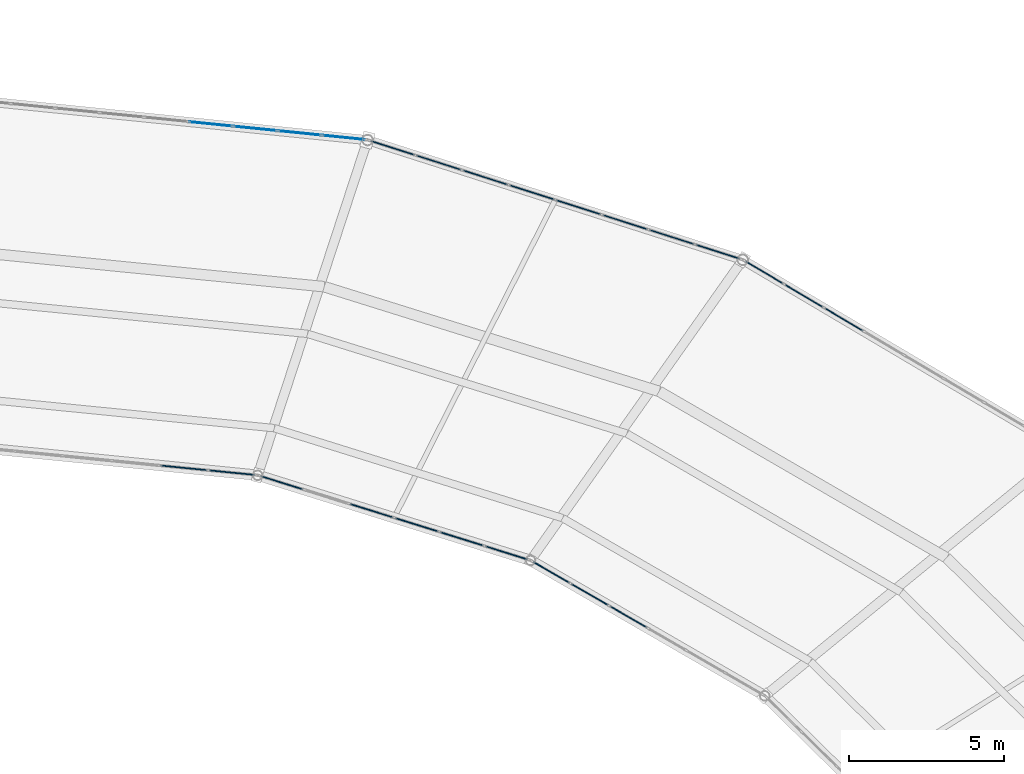
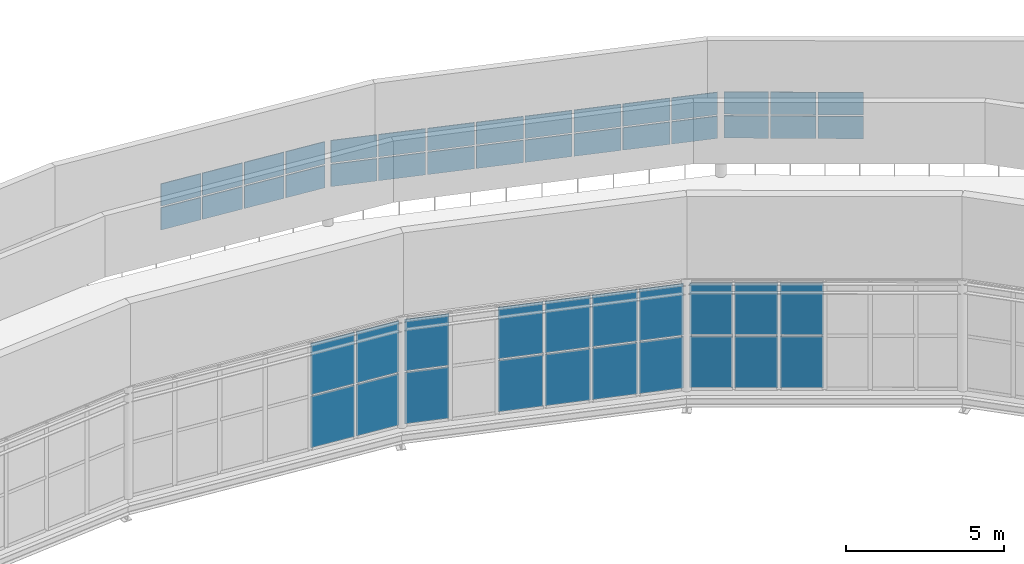
# One storey, part 85 of 123: 50 plates, 6 elements without a shape of their own.
"""IFC4 building model written with IfcOpenShell, lengths in metres."""

from ifc_helpers import new_model, si_unit, direction, frame, origin, origin_2d, place, context, subcontext, project, spatial, rectangle, extrude, material, layer, layer_set, type_object, element, aggregate, save


model = new_model("IFC4")

# Units and contexts
model_context = context("Model", 3, precision=1e-05, world=origin(), true_north=direction((0.0, 1.0)))
body_context = subcontext(model_context, "Body", "Model", "MODEL_VIEW")
ifc_project = project(units=[si_unit("LENGTHUNIT", "METRE"), si_unit("AREAUNIT", "SQUARE_METRE"), si_unit("VOLUMEUNIT", "CUBIC_METRE"), si_unit("PLANEANGLEUNIT", "RADIAN"), si_unit("MASSUNIT", "GRAM", prefix="KILO")], contexts=[model_context])

# Site, building, storey
site_placement = place(None, origin())
site = spatial("IfcSite", under=ifc_project, at=site_placement, CompositionType="ELEMENT")
building_placement = place(site_placement, origin())
building = spatial("IfcBuilding", under=site, at=building_placement, Name="Kildeholm Park Wholesale Market", CompositionType="ELEMENT")
storey_placement = place(building_placement, frame((0.0, 0.0, 9.60009765625)))
storey = spatial("IfcBuildingStorey", under=building, at=storey_placement, Name="L02", CompositionType="ELEMENT", Elevation=9.60009765625)

# Curtain wall, plates
ifc_material_1 = material(Name="Anodised aluminium and low-E double-glazed glass", Category="aluminium")
curtain_wall_type = type_object("IfcCurtainWallType", Name="Clerestory daylight stick curtain wall CW-02", PredefinedType="NOTDEFINED", material=ifc_material_1)
curtain_wall_1_placement = place(storey_placement, origin())
curtain_wall_1 = element("IfcCurtainWall", 1, at=curtain_wall_1_placement, inside=storey, type_object=curtain_wall_type, Name="Curtain wall CW-V1-IN2-03 CW-0020", PredefinedType="NOTDEFINED")
ifc_material_2 = material(Name="Triple-glazed solar-control glass", Category="glass")
ifc_layer_1 = layer(ifc_material_2, 0.035888671875)
ifc_layer_set_1 = layer_set([ifc_layer_1], Name="Triple-glazed solar-control glass")
plate_type_1 = type_object("IfcPlateType", Name="Curtain-wall panel CWP-2 36 mm", PredefinedType="CURTAIN_PANEL", material=ifc_layer_set_1)
plate_1_placement = place(storey_placement, frame((120.408935546875, 111.494873046875, 0.06005859375), z_axis=(0.0, 0.0, 1.0), x_axis=(-0.865742656621, 0.500489412982, 0.0)))
plate_1 = element("IfcPlate", 2, at=plate_1_placement, type_object=plate_type_1, Name="CW-02 panel 4.1 PLT-0418", PredefinedType="CURTAIN_PANEL", context=body_context, shape_type="SweptSolid", body=[
    extrude(rectangle(XDim=1.3818359375, YDim=0.035888671875, at=origin_2d()), origin(), (0.0, 0.0, 1.0), 1.985107421875),
])
plate_2_placement = place(storey_placement, frame((120.408935546875, 111.494873046875, 2.10498046875), z_axis=(0.0, 0.0, 1.0), x_axis=(-0.865742656621, 0.500489412982, 0.0)))
plate_2 = element("IfcPlate", 3, at=plate_2_placement, type_object=plate_type_1, Name="CW-02 panel 4.2 PLT-0419", PredefinedType="CURTAIN_PANEL", context=body_context, shape_type="SweptSolid", body=[
    extrude(rectangle(XDim=1.3818359375, YDim=0.035888671875, at=origin_2d()), origin(), (0.0, 0.0, 1.0), 1.985107421875),
])
plate_3_placement = place(storey_placement, frame((119.160400390625, 112.216552734375, 0.06005859375), z_axis=(0.0, 0.0, 1.0), x_axis=(-0.865742656621, 0.500489412982, 0.0)))
plate_3 = element("IfcPlate", 4, at=plate_3_placement, type_object=plate_type_1, Name="CW-02 panel 5.1 PLT-0420", PredefinedType="CURTAIN_PANEL", context=body_context, shape_type="SweptSolid", body=[
    extrude(rectangle(XDim=1.3818359375, YDim=0.035888671875, at=origin_2d()), origin(), (0.0, 0.0, 1.0), 1.985107421875),
])
plate_4_placement = place(storey_placement, frame((119.160400390625, 112.216552734375, 2.10498046875), z_axis=(0.0, 0.0, 1.0), x_axis=(-0.865742656621, 0.500489412982, 0.0)))
plate_4 = element("IfcPlate", 5, at=plate_4_placement, type_object=plate_type_1, Name="CW-02 panel 5.2 PLT-0421", PredefinedType="CURTAIN_PANEL", context=body_context, shape_type="SweptSolid", body=[
    extrude(rectangle(XDim=1.3818359375, YDim=0.035888671875, at=origin_2d()), origin(), (0.0, 0.0, 1.0), 1.985107421875),
])
plate_5_placement = place(storey_placement, frame((117.925048828125, 112.9306640625, 0.06005859375), z_axis=(0.0, 0.0, 1.0), x_axis=(-0.865742656621, 0.500489412982, 0.0)))
plate_5 = element("IfcPlate", 6, at=plate_5_placement, type_object=plate_type_1, Name="CW-02 panel 6.1 PLT-0422", PredefinedType="CURTAIN_PANEL", context=body_context, shape_type="SweptSolid", body=[
    extrude(rectangle(XDim=1.351806640625, YDim=0.035888671875, at=origin_2d()), origin(), (0.0, 0.0, 1.0), 1.985107421875),
])
plate_6_placement = place(storey_placement, frame((117.925048828125, 112.9306640625, 2.10498046875), z_axis=(0.0, 0.0, 1.0), x_axis=(-0.865742656621, 0.500489412982, 0.0)))
plate_6 = element("IfcPlate", 7, at=plate_6_placement, type_object=plate_type_1, Name="CW-02 panel 6.2 PLT-0423", PredefinedType="CURTAIN_PANEL", context=body_context, shape_type="SweptSolid", body=[
    extrude(rectangle(XDim=1.351806640625, YDim=0.035888671875, at=origin_2d()), origin(), (0.0, 0.0, 1.0), 1.985107421875),
])
aggregate(curtain_wall_1, [plate_1, plate_2, plate_3, plate_4, plate_5, plate_6])

curtain_wall_2_placement = place(storey_placement, origin())
curtain_wall_2 = element("IfcCurtainWall", 8, at=curtain_wall_2_placement, inside=storey, type_object=curtain_wall_type, Name="Curtain wall CW-V1-IN2-04 CW-0025", PredefinedType="NOTDEFINED")
plate_7_placement = place(storey_placement, frame((116.472412109375, 113.5625, 0.06005859375), z_axis=(0.0, 0.0, 1.0), x_axis=(-0.954579186683, 0.297957339818, 0.0)))
plate_7 = element("IfcPlate", 9, at=plate_7_placement, type_object=plate_type_1, Name="CW-02 panel 1.1 PLT-0484", PredefinedType="CURTAIN_PANEL", context=body_context, shape_type="SweptSolid", body=[
    extrude(rectangle(XDim=1.43359375, YDim=0.035888671875, at=origin_2d()), origin(), (0.0, 0.0, 1.0), 1.985107421875),
])
plate_8_placement = place(storey_placement, frame((116.472412109375, 113.5625, 2.10498046875), z_axis=(0.0, 0.0, 1.0), x_axis=(-0.954579186683, 0.297957339818, 0.0)))
plate_8 = element("IfcPlate", 10, at=plate_8_placement, type_object=plate_type_1, Name="CW-02 panel 1.2 PLT-0485", PredefinedType="CURTAIN_PANEL", context=body_context, shape_type="SweptSolid", body=[
    extrude(rectangle(XDim=1.43359375, YDim=0.035888671875, at=origin_2d()), origin(), (0.0, 0.0, 1.0), 1.985107421875),
])
plate_9_placement = place(storey_placement, frame((115.0322265625, 114.011962890625, 0.06005859375), z_axis=(0.0, 0.0, 1.0), x_axis=(-0.954579186683, 0.297957339818, 0.0)))
plate_9 = element("IfcPlate", 11, at=plate_9_placement, type_object=plate_type_1, Name="CW-02 panel 2.1 PLT-0486", PredefinedType="CURTAIN_PANEL", context=body_context, shape_type="SweptSolid", body=[
    extrude(rectangle(XDim=1.463623046875, YDim=0.035888671875, at=origin_2d()), origin(), (0.0, 0.0, 1.0), 1.985107421875),
])
plate_10_placement = place(storey_placement, frame((115.0322265625, 114.011962890625, 2.10498046875), z_axis=(0.0, 0.0, 1.0), x_axis=(-0.954579186683, 0.297957339818, 0.0)))
plate_10 = element("IfcPlate", 12, at=plate_10_placement, type_object=plate_type_1, Name="CW-02 panel 2.2 PLT-0487", PredefinedType="CURTAIN_PANEL", context=body_context, shape_type="SweptSolid", body=[
    extrude(rectangle(XDim=1.463623046875, YDim=0.035888671875, at=origin_2d()), origin(), (0.0, 0.0, 1.0), 1.985107421875),
])
plate_11_placement = place(storey_placement, frame((113.57763671875, 114.466064453125, 0.06005859375), z_axis=(0.0, 0.0, 1.0), x_axis=(-0.954579186683, 0.297957339818, 0.0)))
plate_11 = element("IfcPlate", 13, at=plate_11_placement, type_object=plate_type_1, Name="CW-02 panel 3.1 PLT-0488", PredefinedType="CURTAIN_PANEL", context=body_context, shape_type="SweptSolid", body=[
    extrude(rectangle(XDim=1.463623046875, YDim=0.035888671875, at=origin_2d()), origin(), (0.0, 0.0, 1.0), 1.985107421875),
])
plate_12_placement = place(storey_placement, frame((113.57763671875, 114.466064453125, 2.10498046875), z_axis=(0.0, 0.0, 1.0), x_axis=(-0.954579186683, 0.297957339818, 0.0)))
plate_12 = element("IfcPlate", 14, at=plate_12_placement, type_object=plate_type_1, Name="CW-02 panel 3.2 PLT-0489", PredefinedType="CURTAIN_PANEL", context=body_context, shape_type="SweptSolid", body=[
    extrude(rectangle(XDim=1.463623046875, YDim=0.035888671875, at=origin_2d()), origin(), (0.0, 0.0, 1.0), 1.985107421875),
])
plate_13_placement = place(storey_placement, frame((112.123291015625, 114.919921875, 0.06005859375), z_axis=(0.0, 0.0, 1.0), x_axis=(-0.954579186683, 0.297957339818, 0.0)))
plate_13 = element("IfcPlate", 15, at=plate_13_placement, type_object=plate_type_1, Name="CW-02 panel 4.1 PLT-0490", PredefinedType="CURTAIN_PANEL", context=body_context, shape_type="SweptSolid", body=[
    extrude(rectangle(XDim=1.463623046875, YDim=0.035888671875, at=origin_2d()), origin(), (0.0, 0.0, 1.0), 1.985107421875),
])
plate_14_placement = place(storey_placement, frame((112.123291015625, 114.919921875, 2.10498046875), z_axis=(0.0, 0.0, 1.0), x_axis=(-0.954579186683, 0.297957339818, 0.0)))
plate_14 = element("IfcPlate", 16, at=plate_14_placement, type_object=plate_type_1, Name="CW-02 panel 4.2 PLT-0491", PredefinedType="CURTAIN_PANEL", context=body_context, shape_type="SweptSolid", body=[
    extrude(rectangle(XDim=1.463623046875, YDim=0.035888671875, at=origin_2d()), origin(), (0.0, 0.0, 1.0), 1.985107421875),
])
plate_15_placement = place(storey_placement, frame((109.228515625, 115.823486328125, 0.06005859375), z_axis=(0.0, 0.0, 1.0), x_axis=(-0.954579186683, 0.297957339818, 0.0)))
plate_15 = element("IfcPlate", 17, at=plate_15_placement, type_object=plate_type_1, Name="CW-02 panel 6.1 PLT-0494", PredefinedType="CURTAIN_PANEL", context=body_context, shape_type="SweptSolid", body=[
    extrude(rectangle(XDim=1.43359375, YDim=0.035888671875, at=origin_2d()), origin(), (0.0, 0.0, 1.0), 1.985107421875),
])
plate_16_placement = place(storey_placement, frame((109.228515625, 115.823486328125, 2.10498046875), z_axis=(0.0, 0.0, 1.0), x_axis=(-0.954579186683, 0.297957339818, 0.0)))
plate_16 = element("IfcPlate", 18, at=plate_16_placement, type_object=plate_type_1, Name="CW-02 panel 6.2 PLT-0495", PredefinedType="CURTAIN_PANEL", context=body_context, shape_type="SweptSolid", body=[
    extrude(rectangle(XDim=1.43359375, YDim=0.035888671875, at=origin_2d()), origin(), (0.0, 0.0, 1.0), 1.985107421875),
])
aggregate(curtain_wall_2, [plate_7, plate_8, plate_9, plate_10, plate_11, plate_12, plate_13, plate_14, plate_15, plate_16])

curtain_wall_3_placement = place(storey_placement, origin())
curtain_wall_3 = element("IfcCurtainWall", 19, at=curtain_wall_3_placement, inside=storey, type_object=curtain_wall_type, Name="Curtain wall CW-V1-IN2-05 CW-0029", PredefinedType="NOTDEFINED")
plate_17_placement = place(storey_placement, frame((107.6123046875, 116.14990234375, 0.06005859375), z_axis=(0.0, 0.0, 1.0), x_axis=(-0.995118887444, 0.098683331174, 0.0)))
plate_17 = element("IfcPlate", 20, at=plate_17_placement, type_object=plate_type_1, Name="CW-02 panel 1.1 PLT-0546", PredefinedType="CURTAIN_PANEL", context=body_context, shape_type="SweptSolid", body=[
    extrude(rectangle(XDim=1.47900390625, YDim=0.035888671875, at=origin_2d()), origin(), (0.0, 0.0, 1.0), 1.985107421875),
])
plate_18_placement = place(storey_placement, frame((107.6123046875, 116.14990234375, 2.10498046875), z_axis=(0.0, 0.0, 1.0), x_axis=(-0.995118887444, 0.098683331174, 0.0)))
plate_18 = element("IfcPlate", 21, at=plate_18_placement, type_object=plate_type_1, Name="CW-02 panel 1.2 PLT-0547", PredefinedType="CURTAIN_PANEL", context=body_context, shape_type="SweptSolid", body=[
    extrude(rectangle(XDim=1.47900390625, YDim=0.035888671875, at=origin_2d()), origin(), (0.0, 0.0, 1.0), 1.985107421875),
])
plate_19_placement = place(storey_placement, frame((106.06591796875, 116.30322265625, 0.06005859375), z_axis=(0.0, 0.0, 1.0), x_axis=(-0.995118887444, 0.098683331174, 0.0)))
plate_19 = element("IfcPlate", 22, at=plate_19_placement, type_object=plate_type_1, Name="CW-02 panel 2.1 PLT-0548", PredefinedType="CURTAIN_PANEL", context=body_context, shape_type="SweptSolid", body=[
    extrude(rectangle(XDim=1.509033203125, YDim=0.035888671875, at=origin_2d()), origin(), (0.0, 0.0, 1.0), 1.985107421875),
])
plate_20_placement = place(storey_placement, frame((106.06591796875, 116.30322265625, 2.10498046875), z_axis=(0.0, 0.0, 1.0), x_axis=(-0.995118887444, 0.098683331174, 0.0)))
plate_20 = element("IfcPlate", 23, at=plate_20_placement, type_object=plate_type_1, Name="CW-02 panel 2.2 PLT-0549", PredefinedType="CURTAIN_PANEL", context=body_context, shape_type="SweptSolid", body=[
    extrude(rectangle(XDim=1.509033203125, YDim=0.035888671875, at=origin_2d()), origin(), (0.0, 0.0, 1.0), 1.985107421875),
])
aggregate(curtain_wall_3, [plate_17, plate_18, plate_19, plate_20])

curtain_wall_4_placement = place(storey_placement, origin())
curtain_wall_4 = element("IfcCurtainWall", 24, at=curtain_wall_4_placement, inside=storey, type_object=curtain_wall_type, Name="Curtain wall CW-V1-CL-03 CW-0017", PredefinedType="NOTDEFINED")
ifc_material_3 = material(Name="Fritted solar-control clerestory glass", Category="glass")
ifc_layer_2 = layer(ifc_material_3, 0.031982421875)
ifc_layer_set_2 = layer_set([ifc_layer_2], Name="Fritted solar-control clerestory glass")
plate_type_2 = type_object("IfcPlateType", Name="Curtain-wall panel CWP-4 32 mm", PredefinedType="CURTAIN_PANEL", material=ifc_layer_set_2)
plate_21_placement = place(storey_placement, frame((127.365478515625, 121.0888671875, 1.40966796875), z_axis=(0.0, 0.0, 1.0), x_axis=(-0.860704129033, 0.509105492275, 0.0)))
plate_21 = element("IfcPlate", 25, at=plate_21_placement, type_object=plate_type_2, Name="CW-02 panel 6.1 PLT-0382", PredefinedType="CURTAIN_PANEL", context=body_context, shape_type="SweptSolid", body=[
    extrude(rectangle(XDim=1.43994140625, YDim=0.031982421875, at=origin_2d()), origin(), (0.0, 0.0, 1.0), 0.860107421875),
])
plate_22_placement = place(storey_placement, frame((127.365478515625, 121.0888671875, 2.330078125), z_axis=(0.0, 0.0, 1.0), x_axis=(-0.860704129033, 0.509105492275, 0.0)))
plate_22 = element("IfcPlate", 26, at=plate_22_placement, type_object=plate_type_2, Name="CW-02 panel 6.2 PLT-0383", PredefinedType="CURTAIN_PANEL", context=body_context, shape_type="SweptSolid", body=[
    extrude(rectangle(XDim=1.43994140625, YDim=0.031982421875, at=origin_2d()), origin(), (0.0, 0.0, 1.0), 0.860107421875),
])
plate_23_placement = place(storey_placement, frame((126.074462890625, 121.8525390625, 1.40966796875), z_axis=(0.0, 0.0, 1.0), x_axis=(-0.860704129033, 0.509105492275, 0.0)))
plate_23 = element("IfcPlate", 27, at=plate_23_placement, type_object=plate_type_2, Name="CW-02 panel 7.1 PLT-0384", PredefinedType="CURTAIN_PANEL", context=body_context, shape_type="SweptSolid", body=[
    extrude(rectangle(XDim=1.43994140625, YDim=0.031982421875, at=origin_2d()), origin(), (0.0, 0.0, 1.0), 0.860107421875),
])
plate_24_placement = place(storey_placement, frame((126.074462890625, 121.8525390625, 2.330078125), z_axis=(0.0, 0.0, 1.0), x_axis=(-0.860704129033, 0.509105492275, 0.0)))
plate_24 = element("IfcPlate", 28, at=plate_24_placement, type_object=plate_type_2, Name="CW-02 panel 7.2 PLT-0385", PredefinedType="CURTAIN_PANEL", context=body_context, shape_type="SweptSolid", body=[
    extrude(rectangle(XDim=1.43994140625, YDim=0.031982421875, at=origin_2d()), origin(), (0.0, 0.0, 1.0), 0.860107421875),
])
plate_25_placement = place(storey_placement, frame((124.79638671875, 122.608642578125, 1.40966796875), z_axis=(0.0, 0.0, 1.0), x_axis=(-0.860704129033, 0.509105492275, 0.0)))
plate_25 = element("IfcPlate", 29, at=plate_25_placement, type_object=plate_type_2, Name="CW-02 panel 8.1 PLT-0386", PredefinedType="CURTAIN_PANEL", context=body_context, shape_type="SweptSolid", body=[
    extrude(rectangle(XDim=1.409912109375, YDim=0.031982421875, at=origin_2d()), origin(), (0.0, 0.0, 1.0), 0.860107421875),
])
plate_26_placement = place(storey_placement, frame((124.79638671875, 122.608642578125, 2.330078125), z_axis=(0.0, 0.0, 1.0), x_axis=(-0.860704129033, 0.509105492275, 0.0)))
plate_26 = element("IfcPlate", 30, at=plate_26_placement, type_object=plate_type_2, Name="CW-02 panel 8.2 PLT-0387", PredefinedType="CURTAIN_PANEL", context=body_context, shape_type="SweptSolid", body=[
    extrude(rectangle(XDim=1.409912109375, YDim=0.031982421875, at=origin_2d()), origin(), (0.0, 0.0, 1.0), 0.860107421875),
])
aggregate(curtain_wall_4, [plate_21, plate_22, plate_23, plate_24, plate_25, plate_26])

curtain_wall_5_placement = place(storey_placement, origin())
curtain_wall_5 = element("IfcCurtainWall", 31, at=curtain_wall_5_placement, inside=storey, type_object=curtain_wall_type, Name="Curtain wall CW-V1-CL-04 CW-0022", PredefinedType="NOTDEFINED")
plate_27_placement = place(storey_placement, frame((123.2978515625, 123.275634765625, 1.40966796875), z_axis=(0.0, 0.0, 1.0), x_axis=(-0.952606009241, 0.304206822997, 0.0)))
plate_27 = element("IfcPlate", 32, at=plate_27_placement, type_object=plate_type_2, Name="CW-02 panel 1.1 PLT-0444", PredefinedType="CURTAIN_PANEL", context=body_context, shape_type="SweptSolid", body=[
    extrude(rectangle(XDim=1.48876953125, YDim=0.031982421875, at=origin_2d()), origin(), (0.0, 0.0, 1.0), 0.860107421875),
])
plate_28_placement = place(storey_placement, frame((123.2978515625, 123.275634765625, 2.330078125), z_axis=(0.0, 0.0, 1.0), x_axis=(-0.952606009241, 0.304206822997, 0.0)))
plate_28 = element("IfcPlate", 33, at=plate_28_placement, type_object=plate_type_2, Name="CW-02 panel 1.2 PLT-0445", PredefinedType="CURTAIN_PANEL", context=body_context, shape_type="SweptSolid", body=[
    extrude(rectangle(XDim=1.48876953125, YDim=0.031982421875, at=origin_2d()), origin(), (0.0, 0.0, 1.0), 0.860107421875),
])
plate_29_placement = place(storey_placement, frame((121.80810546875, 123.75146484375, 1.40966796875), z_axis=(0.0, 0.0, 1.0), x_axis=(-0.952606009241, 0.304206822997, 0.0)))
plate_29 = element("IfcPlate", 34, at=plate_29_placement, type_object=plate_type_2, Name="CW-02 panel 2.1 PLT-0446", PredefinedType="CURTAIN_PANEL", context=body_context, shape_type="SweptSolid", body=[
    extrude(rectangle(XDim=1.518798828125, YDim=0.031982421875, at=origin_2d()), origin(), (0.0, 0.0, 1.0), 0.860107421875),
])
plate_30_placement = place(storey_placement, frame((121.80810546875, 123.75146484375, 2.330078125), z_axis=(0.0, 0.0, 1.0), x_axis=(-0.952606009241, 0.304206822997, 0.0)))
plate_30 = element("IfcPlate", 35, at=plate_30_placement, type_object=plate_type_2, Name="CW-02 panel 2.2 PLT-0447", PredefinedType="CURTAIN_PANEL", context=body_context, shape_type="SweptSolid", body=[
    extrude(rectangle(XDim=1.518798828125, YDim=0.031982421875, at=origin_2d()), origin(), (0.0, 0.0, 1.0), 0.860107421875),
])
plate_31_placement = place(storey_placement, frame((120.30419921875, 124.231689453125, 1.40966796875), z_axis=(0.0, 0.0, 1.0), x_axis=(-0.952606009241, 0.304206822997, 0.0)))
plate_31 = element("IfcPlate", 36, at=plate_31_placement, type_object=plate_type_2, Name="CW-02 panel 3.1 PLT-0448", PredefinedType="CURTAIN_PANEL", context=body_context, shape_type="SweptSolid", body=[
    extrude(rectangle(XDim=1.518798828125, YDim=0.031982421875, at=origin_2d()), origin(), (0.0, 0.0, 1.0), 0.860107421875),
])
plate_32_placement = place(storey_placement, frame((120.30419921875, 124.231689453125, 2.330078125), z_axis=(0.0, 0.0, 1.0), x_axis=(-0.952606009241, 0.304206822997, 0.0)))
plate_32 = element("IfcPlate", 37, at=plate_32_placement, type_object=plate_type_2, Name="CW-02 panel 3.2 PLT-0449", PredefinedType="CURTAIN_PANEL", context=body_context, shape_type="SweptSolid", body=[
    extrude(rectangle(XDim=1.518798828125, YDim=0.031982421875, at=origin_2d()), origin(), (0.0, 0.0, 1.0), 0.860107421875),
])
plate_33_placement = place(storey_placement, frame((118.800537109375, 124.7119140625, 1.40966796875), z_axis=(0.0, 0.0, 1.0), x_axis=(-0.952606009241, 0.304206822997, 0.0)))
plate_33 = element("IfcPlate", 38, at=plate_33_placement, type_object=plate_type_2, Name="CW-02 panel 4.1 PLT-0450", PredefinedType="CURTAIN_PANEL", context=body_context, shape_type="SweptSolid", body=[
    extrude(rectangle(XDim=1.518798828125, YDim=0.031982421875, at=origin_2d()), origin(), (0.0, 0.0, 1.0), 0.860107421875),
])
plate_34_placement = place(storey_placement, frame((118.800537109375, 124.7119140625, 2.330078125), z_axis=(0.0, 0.0, 1.0), x_axis=(-0.952606009241, 0.304206822997, 0.0)))
plate_34 = element("IfcPlate", 39, at=plate_34_placement, type_object=plate_type_2, Name="CW-02 panel 4.2 PLT-0451", PredefinedType="CURTAIN_PANEL", context=body_context, shape_type="SweptSolid", body=[
    extrude(rectangle(XDim=1.518798828125, YDim=0.031982421875, at=origin_2d()), origin(), (0.0, 0.0, 1.0), 0.860107421875),
])
plate_35_placement = place(storey_placement, frame((117.296630859375, 125.192138671875, 1.40966796875), z_axis=(0.0, 0.0, 1.0), x_axis=(-0.952606009241, 0.304206822997, 0.0)))
plate_35 = element("IfcPlate", 40, at=plate_35_placement, type_object=plate_type_2, Name="CW-02 panel 5.1 PLT-0452", PredefinedType="CURTAIN_PANEL", context=body_context, shape_type="SweptSolid", body=[
    extrude(rectangle(XDim=1.518798828125, YDim=0.031982421875, at=origin_2d()), origin(), (0.0, 0.0, 1.0), 0.860107421875),
])
plate_36_placement = place(storey_placement, frame((117.296630859375, 125.192138671875, 2.330078125), z_axis=(0.0, 0.0, 1.0), x_axis=(-0.952606009241, 0.304206822997, 0.0)))
plate_36 = element("IfcPlate", 41, at=plate_36_placement, type_object=plate_type_2, Name="CW-02 panel 5.2 PLT-0453", PredefinedType="CURTAIN_PANEL", context=body_context, shape_type="SweptSolid", body=[
    extrude(rectangle(XDim=1.518798828125, YDim=0.031982421875, at=origin_2d()), origin(), (0.0, 0.0, 1.0), 0.860107421875),
])
plate_37_placement = place(storey_placement, frame((115.792724609375, 125.67236328125, 1.40966796875), z_axis=(0.0, 0.0, 1.0), x_axis=(-0.952606009241, 0.304206822997, 0.0)))
plate_37 = element("IfcPlate", 42, at=plate_37_placement, type_object=plate_type_2, Name="CW-02 panel 6.1 PLT-0454", PredefinedType="CURTAIN_PANEL", context=body_context, shape_type="SweptSolid", body=[
    extrude(rectangle(XDim=1.518798828125, YDim=0.031982421875, at=origin_2d()), origin(), (0.0, 0.0, 1.0), 0.860107421875),
])
plate_38_placement = place(storey_placement, frame((115.792724609375, 125.67236328125, 2.330078125), z_axis=(0.0, 0.0, 1.0), x_axis=(-0.952606009241, 0.304206822997, 0.0)))
plate_38 = element("IfcPlate", 43, at=plate_38_placement, type_object=plate_type_2, Name="CW-02 panel 6.2 PLT-0455", PredefinedType="CURTAIN_PANEL", context=body_context, shape_type="SweptSolid", body=[
    extrude(rectangle(XDim=1.518798828125, YDim=0.031982421875, at=origin_2d()), origin(), (0.0, 0.0, 1.0), 0.860107421875),
])
plate_39_placement = place(storey_placement, frame((114.288818359375, 126.152587890625, 1.40966796875), z_axis=(0.0, 0.0, 1.0), x_axis=(-0.952606009241, 0.304206822997, 0.0)))
plate_39 = element("IfcPlate", 44, at=plate_39_placement, type_object=plate_type_2, Name="CW-02 panel 7.1 PLT-0456", PredefinedType="CURTAIN_PANEL", context=body_context, shape_type="SweptSolid", body=[
    extrude(rectangle(XDim=1.518798828125, YDim=0.031982421875, at=origin_2d()), origin(), (0.0, 0.0, 1.0), 0.860107421875),
])
plate_40_placement = place(storey_placement, frame((114.288818359375, 126.152587890625, 2.330078125), z_axis=(0.0, 0.0, 1.0), x_axis=(-0.952606009241, 0.304206822997, 0.0)))
plate_40 = element("IfcPlate", 45, at=plate_40_placement, type_object=plate_type_2, Name="CW-02 panel 7.2 PLT-0457", PredefinedType="CURTAIN_PANEL", context=body_context, shape_type="SweptSolid", body=[
    extrude(rectangle(XDim=1.518798828125, YDim=0.031982421875, at=origin_2d()), origin(), (0.0, 0.0, 1.0), 0.860107421875),
])
plate_41_placement = place(storey_placement, frame((112.79931640625, 126.62841796875, 1.40966796875), z_axis=(0.0, 0.0, 1.0), x_axis=(-0.952606009241, 0.304206822997, 0.0)))
plate_41 = element("IfcPlate", 46, at=plate_41_placement, type_object=plate_type_2, Name="CW-02 panel 8.1 PLT-0458", PredefinedType="CURTAIN_PANEL", context=body_context, shape_type="SweptSolid", body=[
    extrude(rectangle(XDim=1.48876953125, YDim=0.031982421875, at=origin_2d()), origin(), (0.0, 0.0, 1.0), 0.860107421875),
])
plate_42_placement = place(storey_placement, frame((112.79931640625, 126.62841796875, 2.330078125), z_axis=(0.0, 0.0, 1.0), x_axis=(-0.952606009241, 0.304206822997, 0.0)))
plate_42 = element("IfcPlate", 47, at=plate_42_placement, type_object=plate_type_2, Name="CW-02 panel 8.2 PLT-0459", PredefinedType="CURTAIN_PANEL", context=body_context, shape_type="SweptSolid", body=[
    extrude(rectangle(XDim=1.48876953125, YDim=0.031982421875, at=origin_2d()), origin(), (0.0, 0.0, 1.0), 0.860107421875),
])
aggregate(curtain_wall_5, [plate_27, plate_28, plate_29, plate_30, plate_31, plate_32, plate_33, plate_34, plate_35, plate_36, plate_37, plate_38, plate_39, plate_40, plate_41, plate_42])

curtain_wall_6_placement = place(storey_placement, origin())
curtain_wall_6 = element("IfcCurtainWall", 48, at=curtain_wall_6_placement, inside=storey, type_object=curtain_wall_type, Name="Curtain wall CW-V1-CL-05 CW-0027", PredefinedType="NOTDEFINED")
plate_43_placement = place(storey_placement, frame((111.2216796875, 126.96337890625, 1.40966796875), z_axis=(0.0, 0.0, 1.0), x_axis=(-0.994886564926, 0.100998628351, 0.0)))
plate_43 = element("IfcPlate", 49, at=plate_43_placement, type_object=plate_type_2, Name="CW-02 panel 1.1 PLT-0516", PredefinedType="CURTAIN_PANEL", context=body_context, shape_type="SweptSolid", body=[
    extrude(rectangle(XDim=1.352294921875, YDim=0.031982421875, at=origin_2d()), origin(), (0.0, 0.0, 1.0), 0.860107421875),
])
plate_44_placement = place(storey_placement, frame((111.2216796875, 126.96337890625, 2.330078125), z_axis=(0.0, 0.0, 1.0), x_axis=(-0.994886564926, 0.100998628351, 0.0)))
plate_44 = element("IfcPlate", 50, at=plate_44_placement, type_object=plate_type_2, Name="CW-02 panel 1.2 PLT-0517", PredefinedType="CURTAIN_PANEL", context=body_context, shape_type="SweptSolid", body=[
    extrude(rectangle(XDim=1.352294921875, YDim=0.031982421875, at=origin_2d()), origin(), (0.0, 0.0, 1.0), 0.860107421875),
])
plate_45_placement = place(storey_placement, frame((109.8017578125, 127.107421875, 1.40966796875), z_axis=(0.0, 0.0, 1.0), x_axis=(-0.994886564926, 0.100998628351, 0.0)))
plate_45 = element("IfcPlate", 51, at=plate_45_placement, type_object=plate_type_2, Name="CW-02 panel 2.1 PLT-0518", PredefinedType="CURTAIN_PANEL", context=body_context, shape_type="SweptSolid", body=[
    extrude(rectangle(XDim=1.38232421875, YDim=0.031982421875, at=origin_2d()), origin(), (0.0, 0.0, 1.0), 0.860107421875),
])
plate_46_placement = place(storey_placement, frame((109.8017578125, 127.107421875, 2.330078125), z_axis=(0.0, 0.0, 1.0), x_axis=(-0.994886564926, 0.100998628351, 0.0)))
plate_46 = element("IfcPlate", 52, at=plate_46_placement, type_object=plate_type_2, Name="CW-02 panel 2.2 PLT-0519", PredefinedType="CURTAIN_PANEL", context=body_context, shape_type="SweptSolid", body=[
    extrude(rectangle(XDim=1.38232421875, YDim=0.031982421875, at=origin_2d()), origin(), (0.0, 0.0, 1.0), 0.860107421875),
])
plate_47_placement = place(storey_placement, frame((108.36669921875, 127.253173828125, 1.40966796875), z_axis=(0.0, 0.0, 1.0), x_axis=(-0.994886564926, 0.100998628351, 0.0)))
plate_47 = element("IfcPlate", 53, at=plate_47_placement, type_object=plate_type_2, Name="CW-02 panel 3.1 PLT-0520", PredefinedType="CURTAIN_PANEL", context=body_context, shape_type="SweptSolid", body=[
    extrude(rectangle(XDim=1.38232421875, YDim=0.031982421875, at=origin_2d()), origin(), (0.0, 0.0, 1.0), 0.860107421875),
])
plate_48_placement = place(storey_placement, frame((108.36669921875, 127.253173828125, 2.330078125), z_axis=(0.0, 0.0, 1.0), x_axis=(-0.994886564926, 0.100998628351, 0.0)))
plate_48 = element("IfcPlate", 54, at=plate_48_placement, type_object=plate_type_2, Name="CW-02 panel 3.2 PLT-0521", PredefinedType="CURTAIN_PANEL", context=body_context, shape_type="SweptSolid", body=[
    extrude(rectangle(XDim=1.38232421875, YDim=0.031982421875, at=origin_2d()), origin(), (0.0, 0.0, 1.0), 0.860107421875),
])
plate_49_placement = place(storey_placement, frame((106.931884765625, 127.39892578125, 1.40966796875), z_axis=(0.0, 0.0, 1.0), x_axis=(-0.994886564926, 0.100998628351, 0.0)))
plate_49 = element("IfcPlate", 55, at=plate_49_placement, type_object=plate_type_2, Name="CW-02 panel 4.1 PLT-0522", PredefinedType="CURTAIN_PANEL", context=body_context, shape_type="SweptSolid", body=[
    extrude(rectangle(XDim=1.38232421875, YDim=0.031982421875, at=origin_2d()), origin(), (0.0, 0.0, 1.0), 0.860107421875),
])
plate_50_placement = place(storey_placement, frame((106.931884765625, 127.39892578125, 2.330078125), z_axis=(0.0, 0.0, 1.0), x_axis=(-0.994886564926, 0.100998628351, 0.0)))
plate_50 = element("IfcPlate", 56, at=plate_50_placement, type_object=plate_type_2, Name="CW-02 panel 4.2 PLT-0523", PredefinedType="CURTAIN_PANEL", context=body_context, shape_type="SweptSolid", body=[
    extrude(rectangle(XDim=1.38232421875, YDim=0.031982421875, at=origin_2d()), origin(), (0.0, 0.0, 1.0), 0.860107421875),
])
aggregate(curtain_wall_6, [plate_43, plate_44, plate_45, plate_46, plate_47, plate_48, plate_49, plate_50])

save(model, "model.ifc")
